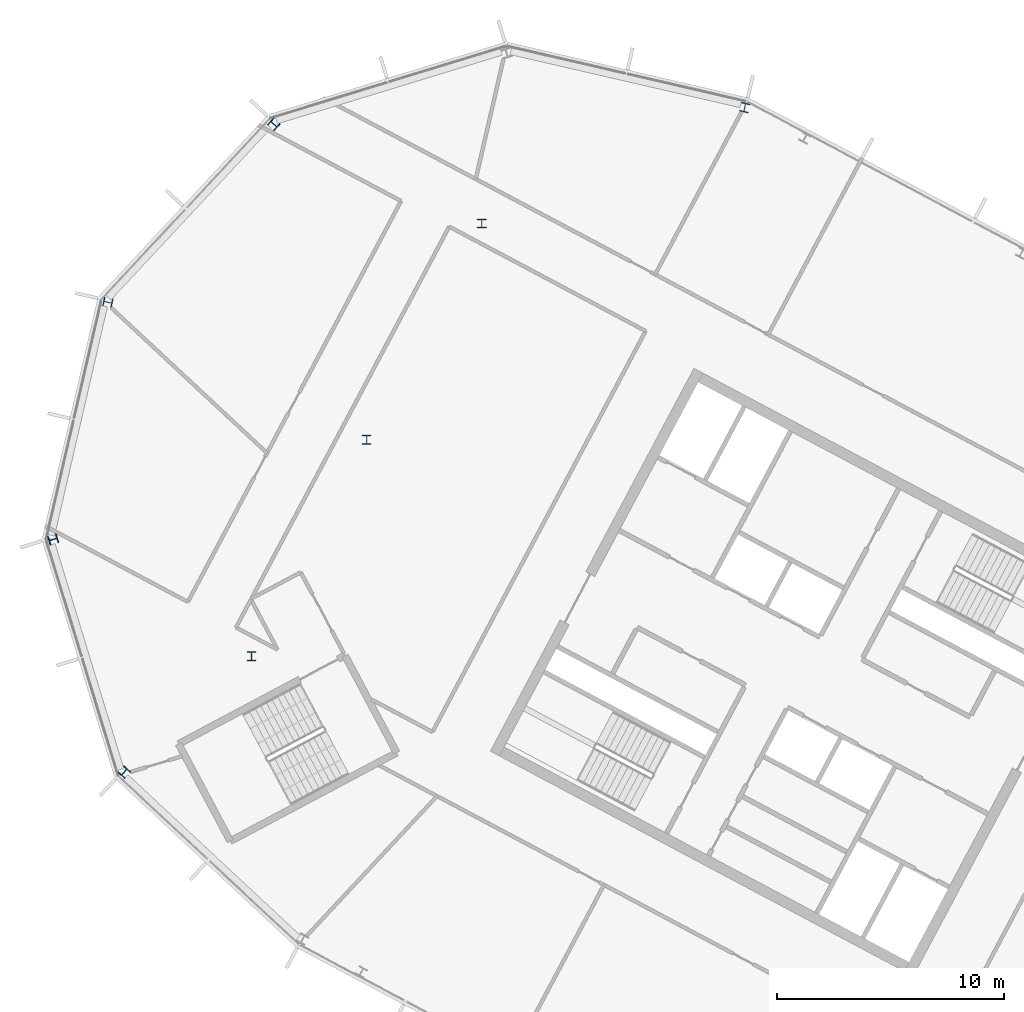
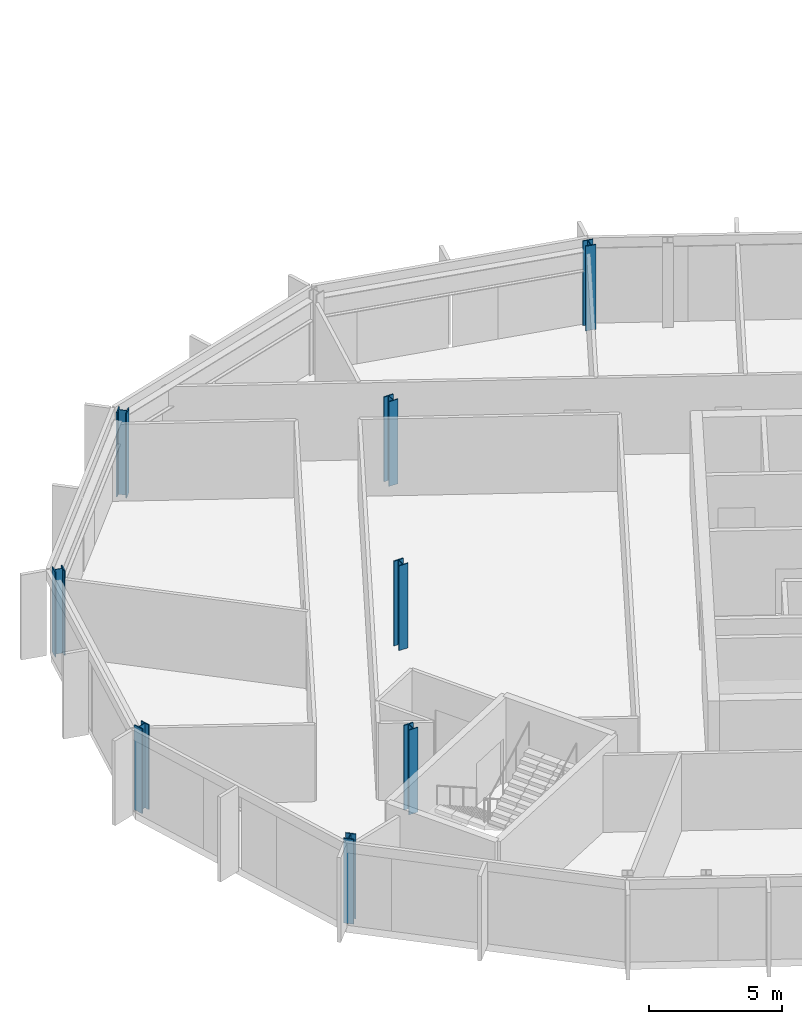
# One storey, part 3 of 26: 8 columns.
"""IFC4 building model written with IfcOpenShell, lengths in metres."""

import ifcopenshell
import ifcopenshell.guid

model = None  # the IFC model being written
_history = None  # IfcOwnerHistory: only IFC2X3 demands one
_inside = {}  # id of a spatial element -> (the spatial element, [elements in it])
_under = {}  # id of a project, library or spatial element -> (it, [spatial elements below it])
_declared = {}  # id of a project -> (the project, [libraries it declares])
_typed = {}  # id of a type object -> (the type object, [elements of that type])
_made_of = {}  # id of a material, layer set ... -> (it, [elements and type objects made of it])


def new_model(schema):
    """Start an empty IFC model of exactly this schema.

    Asked for "IFC4X3", IfcOpenShell would pick the latest addendum, in which some entities
    have other attributes; the version numbers below select the first issue.
    IFC2X3 requires an IfcOwnerHistory on every rooted entity: one is made here for all.
    """
    global model, _history
    if schema == "IFC4X3":
        model = ifcopenshell.file(schema_version=(4, 3, 0, 0))
    else:
        model = ifcopenshell.file(schema=schema)
    _inside.clear()
    _under.clear()
    _declared.clear()
    _typed.clear()
    _made_of.clear()
    _history = None
    if model.schema == "IFC2X3":
        org = make("IfcOrganization", Name="unknown")
        user = make(
            "IfcPersonAndOrganization",
            ThePerson=make("IfcPerson", FamilyName="unknown"),
            TheOrganization=org,
        )
        app = make(
            "IfcApplication",
            ApplicationDeveloper=org,
            Version="unknown",
            ApplicationFullName="unknown",
            ApplicationIdentifier="unknown",
        )
        _history = make(
            "IfcOwnerHistory",
            OwningUser=user,
            OwningApplication=app,
            ChangeAction="ADDED",
            CreationDate=0,
        )
    return model


def make(cls, **values):
    """One entity of the class cls with the attributes given. An attribute that is None is left unset."""
    return model.create_entity(
        cls, **{name: value for name, value in values.items() if value is not None}
    )


def rooted(cls, **values):
    """An entity with a GlobalId (a new one), such as an element, a storey or a relation."""
    return make(cls, GlobalId=ifcopenshell.guid.new(), OwnerHistory=_history, **values)


def si_unit(unit_type, name, prefix=None):
    """IfcSIUnit, for example si_unit("LENGTHUNIT", "METRE", prefix="MILLI")."""
    return make("IfcSIUnit", UnitType=unit_type, Prefix=prefix, Name=name)


def assignment(units):
    """IfcUnitAssignment: the units of a project."""
    return None if units is None else make("IfcUnitAssignment", Units=units)


def point(xyz):
    """IfcCartesianPoint."""
    return None if xyz is None else make("IfcCartesianPoint", Coordinates=xyz)


def direction(xyz):
    """IfcDirection."""
    return None if xyz is None else make("IfcDirection", DirectionRatios=xyz)


def frame(location, z_axis=None, x_axis=None):
    """IfcAxis2Placement3D, a coordinate frame: its origin and axes. An axis left out is left unset."""
    return make(
        "IfcAxis2Placement3D",
        Location=point(location),
        Axis=direction(z_axis),
        RefDirection=direction(x_axis),
    )


def frame_2d(location, x_axis=None):
    """IfcAxis2Placement2D, a coordinate frame in the plane: its origin and x axis."""
    return make(
        "IfcAxis2Placement2D", Location=point(location), RefDirection=direction(x_axis)
    )


def origin():
    """The frame at (0, 0, 0) with its axes left unset."""
    return frame((0.0, 0.0, 0.0))


def origin_2d():
    """The frame at (0, 0) in the plane with its x axis left unset."""
    return frame_2d((0.0, 0.0))


def place(relative_to, where):
    """IfcLocalPlacement: puts the frame where relative to a parent placement (None: the world)."""
    return make(
        "IfcLocalPlacement", PlacementRelTo=relative_to, RelativePlacement=where
    )


def context(
    kind, dimensions, precision=None, world=None, true_north=None, identifier=None
):
    """IfcGeometricRepresentationContext, for example the 3D "Model" context."""
    return make(
        "IfcGeometricRepresentationContext",
        ContextIdentifier=identifier,
        ContextType=kind,
        CoordinateSpaceDimension=dimensions,
        Precision=precision,
        WorldCoordinateSystem=world,
        TrueNorth=true_north,
    )


def subcontext(parent, identifier, kind, view, scale=None):
    """IfcGeometricRepresentationSubContext, for example "Body" below "Model"."""
    return make(
        "IfcGeometricRepresentationSubContext",
        ContextIdentifier=identifier,
        ContextType=kind,
        ParentContext=parent,
        TargetScale=scale,
        TargetView=view,
    )


def project(units=None, contexts=None):
    """IfcProject with its units and contexts."""
    return rooted(
        "IfcProject",
        Name="project",
        RepresentationContexts=contexts,
        UnitsInContext=assignment(units),
    )


def spatial(cls, under=None, at=None, **own):
    """A site, building, storey or space (cls), placed at a placement, below another one or the project."""
    s = rooted(cls, ObjectPlacement=at, **own)
    if under is not None:
        _under.setdefault(under.id(), (under, []))[1].append(s)
    return s


def profile(cls, at=None, kind="AREA", **sizes):
    """A parametric profile (cls). Its sizes go by their IFC names, for example OverallWidth=200.0."""
    return make(cls, ProfileType=kind, Position=at, **sizes)


def i_section(**sizes):
    """IfcIShapeProfileDef."""
    return profile("IfcIShapeProfileDef", **sizes)


def extrude(swept, where, along, depth):
    """IfcExtrudedAreaSolid: the profile swept, set in the frame where, extruded along a direction by depth."""
    return make(
        "IfcExtrudedAreaSolid",
        SweptArea=swept,
        Position=where,
        ExtrudedDirection=direction(along),
        Depth=depth,
    )


def shape(context_of_items, identifier, shape_type, items):
    """IfcShapeRepresentation: the items that make up one representation, for example the "Body"."""
    return make(
        "IfcShapeRepresentation",
        ContextOfItems=context_of_items,
        RepresentationIdentifier=identifier,
        RepresentationType=shape_type,
        Items=items,
    )


def material(Name=None, Category=None):
    """IfcMaterial."""
    return make("IfcMaterial", Name=Name, Category=Category)


def material_profile(
    of_material, cross_section, Name=None, Category=None, Priority=None
):
    """IfcMaterialProfile: a cross section and its material."""
    return make(
        "IfcMaterialProfile",
        Name=Name,
        Material=of_material,
        Profile=cross_section,
        Priority=Priority,
        Category=Category,
    )


def profile_set(profiles, Name=None, composite=None):
    """IfcMaterialProfileSet."""
    return make(
        "IfcMaterialProfileSet",
        Name=Name,
        MaterialProfiles=profiles,
        CompositeProfile=composite,
    )


def made_of(thing, what):
    """Note that an element or type object is made of a material, layer set ...; save() writes the relation."""
    if what is not None:
        _made_of.setdefault(what.id(), (what, []))[1].append(thing)
    return thing


def type_object(cls, material=None, **own):
    """A type object (cls), such as IfcWallType, which elements share."""
    return made_of(rooted(cls, **own), material)


def element(
    cls,
    number,
    at=None,
    inside=None,
    cuts=None,
    type_object=None,
    material=None,
    context=None,
    identifier="Body",
    shape_type=None,
    held_by="IfcProductDefinitionShape",
    body=None,
    shapes=None,
    **own,
):
    """One element of the class cls, such as IfcWall. Its Tag is "e" and its number.

    at: its placement. inside: the storey or other place that contains it. cuts: it is an
    opening in that element (IfcRelVoidsElement). A single representation is given by context,
    identifier, shape_type and body (its items); several are given by shapes. held_by: the class
    of the entity that holds the representations. save() writes the other relations.
    """
    e = rooted(cls, Tag="e%d" % number, ObjectPlacement=at, **own)
    if body is not None:
        shapes = [shape(context, identifier, shape_type, body)]
    if shapes is not None:
        e.Representation = make(held_by, Representations=shapes)
    if inside is not None:
        _inside.setdefault(inside.id(), (inside, []))[1].append(e)
    if cuts is not None:
        rooted(
            "IfcRelVoidsElement", RelatingBuildingElement=cuts, RelatedOpeningElement=e
        )
    if type_object is not None:
        _typed.setdefault(type_object.id(), (type_object, []))[1].append(e)
    return made_of(e, material)


def aggregate(whole, parts):
    """IfcRelAggregates: a whole, such as a stair, and the parts it consists of."""
    return rooted("IfcRelAggregates", RelatingObject=whole, RelatedObjects=parts)


def save(model, path):
    """Write the relations noted so far, then the file.

    IfcRelAggregates (storeys below a building ...), IfcRelContainedInSpatialStructure (elements
    in a storey), IfcRelDefinesByType, IfcRelAssociatesMaterial and IfcRelDeclares: one each for
    every whole, place, type object, material and project.
    """
    for whole, parts in _under.values():
        aggregate(whole, parts)
    for where, things in _inside.values():
        rooted(
            "IfcRelContainedInSpatialStructure",
            RelatedElements=things,
            RelatingStructure=where,
        )
    for kind, things in _typed.values():
        rooted("IfcRelDefinesByType", RelatedObjects=things, RelatingType=kind)
    for what, things in _made_of.values():
        rooted("IfcRelAssociatesMaterial", RelatedObjects=things, RelatingMaterial=what)
    for by, libraries in _declared.values():
        rooted("IfcRelDeclares", RelatingContext=by, RelatedDefinitions=libraries)
    model.write(path)


model = new_model("IFC4")

# Units and contexts
model_context = context("Model", 3, precision=1e-05, world=origin(), true_north=direction((0.0, 1.0)))
body_context = subcontext(model_context, "Body", "Model", "MODEL_VIEW")
ifc_project = project(units=[si_unit("LENGTHUNIT", "METRE"), si_unit("AREAUNIT", "SQUARE_METRE"), si_unit("VOLUMEUNIT", "CUBIC_METRE"), si_unit("PLANEANGLEUNIT", "RADIAN"), si_unit("MASSUNIT", "GRAM", prefix="KILO")], contexts=[model_context])

# Site, building, storey
site_placement = place(None, origin())
site = spatial("IfcSite", under=ifc_project, at=site_placement, CompositionType="ELEMENT")
building_placement = place(site_placement, origin())
building = spatial("IfcBuilding", under=site, at=building_placement, Name="Cormorant Relay Tower", CompositionType="ELEMENT")
storey_placement = place(building_placement, frame((0.0, 0.0, 269.699951171875)))
storey = spatial("IfcBuildingStorey", under=building, at=storey_placement, Name="L60", CompositionType="ELEMENT", Elevation=269.699951171875)

# Columns
ifc_material = material(Name="Steel ASTM A992 (Fy 345 MPa)", Category="steel")
ifc_material_profile = material_profile(ifc_material, i_section(OverallWidth=0.40380859375, OverallDepth=0.406494140625, WebThickness=0.027099609375, FlangeThickness=0.043701171875, FilletRadius=0.01513671875, at=origin_2d()), Name="W360x347")
ifc_profile_set = profile_set([ifc_material_profile], Name="Steel ASTM A992 (Fy 345 MPa)")
column_type = type_object("IfcColumnType", Name="Column W360x347", PredefinedType="COLUMN", material=ifc_profile_set)
for number, where, z_axis, x_axis, name in (
    (1, (-57.2958984375, 10.152099609375, 0.0), (0.0, 0.0, 1.0), (0.731353701619, -0.681998360062, 0.0), "Column L60-022"),
    (2, (-51.68994140625, 15.251953125, 0.0), (0.0, 0.0, 1.0), (1.0, 0.0, 0.0), "Column L60-026"),
    (3, (-60.429931640625, 20.403076171875, 0.0), (0.0, 0.0, 1.0), (0.292371704723, -0.956304755963, 0.0), "Column L60-028"),
    (4, (-46.6201171875, 24.7880859375, 0.0), (0.0, 0.0, 1.0), (1.0, 0.0, 0.0), "Column L60-030"),
    (5, (-58.01806640625, 30.84912109375, 0.0), (0.0, 0.0, 1.0), (-0.224951054344, -0.974370064785, 0.0), "Column L60-034"),
    (6, (-41.549072265625, 34.323974609375, 0.0), (0.0, 0.0, 1.0), (1.0, 0.0, 0.0), "Column L60-037"),
    (7, (-50.70703125, 38.68896484375, 0.0), (0.0, 0.0, 1.0), (-0.681998360062, -0.731353701619, 0.0), "Column L60-041"),
    (8, (-29.965087890625, 39.425048828125, 0.0), (0.0, 0.0, 1.0), (-0.974370064785, 0.224951054344, 0.0), "Column L60-042"),
):
    element("IfcColumn", number, at=place(storey_placement, frame(where, z_axis=z_axis, x_axis=x_axis)), inside=storey, type_object=column_type, Name=name, PredefinedType="COLUMN", context=body_context, shape_type="SweptSolid", body=[
        extrude(i_section(OverallWidth=0.40380859375, OverallDepth=0.406494140625, WebThickness=0.027099609375, FlangeThickness=0.043701171875, FilletRadius=0.01513671875, at=origin_2d()), origin(), (0.0, 0.0, 1.0), 3.900146484375),
    ])

save(model, "model.ifc")
